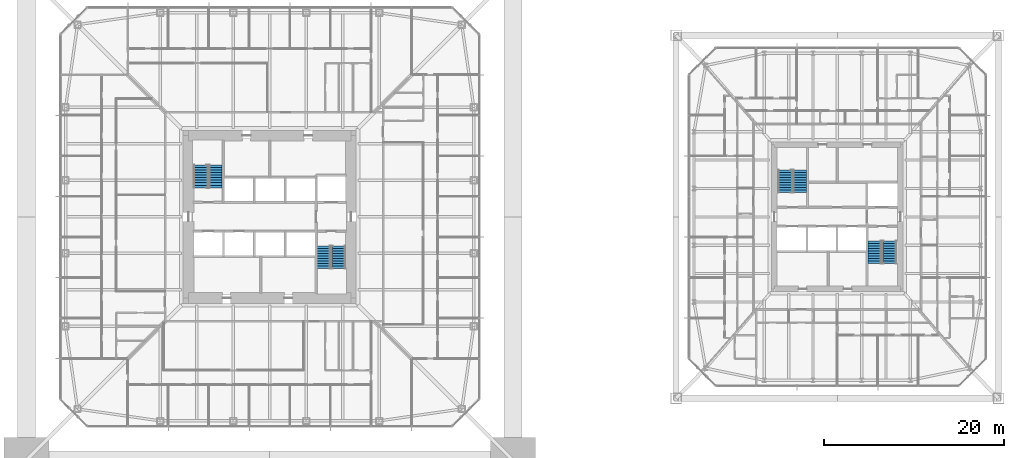
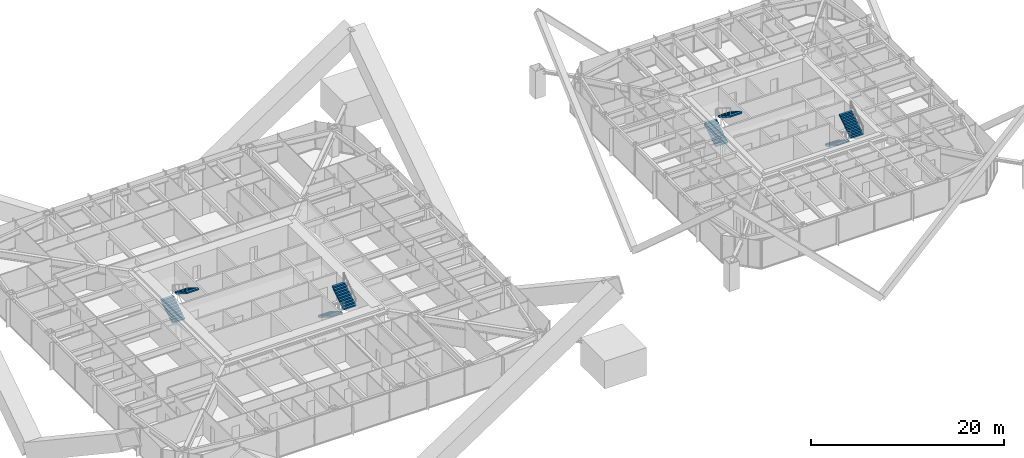
# One storey, part 23 of 27: 8 stair flights, 4 elements without a shape of their own.
"""IFC4 building model written with IfcOpenShell, lengths in metres."""

from ifc_helpers import new_model, si_unit, direction, frame, origin, place, context, subcontext, project, spatial, polyline, outline, extrude, material, constituent, constituent_set, type_object, element, aggregate, save


model = new_model("IFC4")

# Units and contexts
model_context = context("Model", 3, precision=1e-05, world=origin(), true_north=direction((0.0, 1.0)))
body_context = subcontext(model_context, "Body", "Model", "MODEL_VIEW")
ifc_project = project(units=[si_unit("LENGTHUNIT", "METRE"), si_unit("AREAUNIT", "SQUARE_METRE"), si_unit("VOLUMEUNIT", "CUBIC_METRE"), si_unit("PLANEANGLEUNIT", "RADIAN"), si_unit("MASSUNIT", "GRAM", prefix="KILO")], contexts=[model_context])

# Site, building, storey
site_placement = place(None, origin())
site = spatial("IfcSite", under=ifc_project, at=site_placement, CompositionType="ELEMENT")
building_placement = place(site_placement, origin())
building = spatial("IfcBuilding", under=site, at=building_placement, Name="Iwan Alto Co-Living Towers", CompositionType="ELEMENT")
storey_placement = place(building_placement, frame((0.0, 0.0, 25.5)))
storey = spatial("IfcBuildingStorey", under=building, at=storey_placement, Name="L06", CompositionType="ELEMENT", Elevation=25.5)

# Stair, stair flights
ifc_material_1 = material(Name="Steel ASTM A36", Category="steel")
ifc_constituent_1 = constituent(ifc_material_1, Name="Stringers", Category="LoadBearing")
ifc_material_2 = material(Name="Concrete f'c 30 MPa", Category="concrete")
ifc_constituent_2 = constituent(ifc_material_2, Name="Tread fill", Category="Finish")
ifc_constituent_set_1 = constituent_set(constituents=[ifc_constituent_1, ifc_constituent_2], Name="STAIR 3500 TWO-FLIGHT T1 CORE")
stair_type_1 = type_object("IfcStairType", Name="STAIR 3500 TWO-FLIGHT T1 CORE", PredefinedType="HALF_TURN_STAIR", material=ifc_constituent_set_1)
stair_1_placement = place(storey_placement, origin())
stair_1 = element("IfcStair", 1, at=stair_1_placement, inside=storey, type_object=stair_type_1, Name="Stair T1-S1 L06 to L07", PredefinedType="HALF_TURN_STAIR")
ifc_constituent_3 = constituent(ifc_material_1, Name="Stringers", Category="LoadBearing")
ifc_constituent_4 = constituent(ifc_material_2, Name="Tread fill", Category="Finish")
ifc_constituent_set_2 = constituent_set(constituents=[ifc_constituent_3, ifc_constituent_4], Name="STAIR FLIGHT 10 RISERS 280 GOING")
stair_flight_type = type_object("IfcStairFlightType", Name="STAIR FLIGHT 10 RISERS 280 GOING", PredefinedType="STRAIGHT", material=ifc_constituent_set_2)
stair_flight_1_placement = place(storey_placement, frame((-7.68994140625, 3.219970703125, 0.0), z_axis=(0.0, 0.0, 1.0), x_axis=(0.0, 1.0, 0.0)))
stair_flight_1 = element("IfcStairFlight", 2, at=stair_flight_1_placement, type_object=stair_flight_type, Name="T1-S1 flight 1", NumberOfRisers=10, NumberOfTreads=9, PredefinedType="STRAIGHT", RiserHeight=0.175, TreadLength=0.28, context=body_context, shape_type="SweptSolid", body=[
    extrude(outline(polyline([(0.0, 0.0), (0.0, 0.175048828125), (0.280029296875, 0.175048828125), (0.280029296875, 0.35009765625), (0.56005859375, 0.35009765625), (0.56005859375, 0.52490234375), (0.840087890625, 0.52490234375), (0.840087890625, 0.699951171875), (1.1201171875, 0.699951171875), (1.1201171875, 0.875), (1.39990234375, 0.875), (1.39990234375, 1.050048828125), (1.679931640625, 1.050048828125), (1.679931640625, 1.22509765625), (1.9599609375, 1.22509765625), (1.9599609375, 1.39990234375), (2.239990234375, 1.39990234375), (2.239990234375, 1.574951171875), (2.52001953125, 1.574951171875), (2.52001953125, 1.75), (2.52001953125, 1.398193359375), (0.28271484375, 0.0), (0.0, 0.0)])), frame((0.0, 0.739990234375, 0.0), z_axis=(0.0, -1.0, 0.0), x_axis=(1.0, 0.0, 0.0)), (0.0, 0.0, 1.0), 1.47998046875),
])
stair_flight_2_placement = place(storey_placement, frame((-6.010009765625, 5.739990234375, 1.75), z_axis=(0.0, 0.0, 1.0), x_axis=(0.0, -1.0, 0.0)))
stair_flight_2 = element("IfcStairFlight", 3, at=stair_flight_2_placement, type_object=stair_flight_type, Name="T1-S1 flight 2", NumberOfRisers=10, NumberOfTreads=9, PredefinedType="STRAIGHT", RiserHeight=0.175, TreadLength=0.28, context=body_context, shape_type="SweptSolid", body=[
    extrude(outline(polyline([(0.0, 0.0), (0.0, 0.175048828125), (0.280029296875, 0.175048828125), (0.280029296875, 0.35009765625), (0.56005859375, 0.35009765625), (0.56005859375, 0.52490234375), (0.840087890625, 0.52490234375), (0.840087890625, 0.699951171875), (1.1201171875, 0.699951171875), (1.1201171875, 0.875), (1.39990234375, 0.875), (1.39990234375, 1.050048828125), (1.679931640625, 1.050048828125), (1.679931640625, 1.22509765625), (1.9599609375, 1.22509765625), (1.9599609375, 1.39990234375), (2.239990234375, 1.39990234375), (2.239990234375, 1.574951171875), (2.52001953125, 1.574951171875), (2.52001953125, 1.75), (2.52001953125, 1.398193359375), (0.28271484375, 0.0), (0.0, 0.0)])), frame((0.0, 0.739990234375, 0.0), z_axis=(0.0, -1.0, 0.0), x_axis=(1.0, 0.0, 0.0)), (0.0, 0.0, 1.0), 1.47998046875),
])
aggregate(stair_1, [stair_flight_1, stair_flight_2])

stair_2_placement = place(storey_placement, origin())
stair_2 = element("IfcStair", 4, at=stair_2_placement, inside=storey, type_object=stair_type_1, Name="Stair T1-S2 L06 to L07", PredefinedType="HALF_TURN_STAIR")
stair_flight_3_placement = place(storey_placement, frame((6.010009765625, -3.219970703125, 0.0), z_axis=(0.0, 0.0, 1.0), x_axis=(0.0, -1.0, 0.0)))
stair_flight_3 = element("IfcStairFlight", 5, at=stair_flight_3_placement, type_object=stair_flight_type, Name="T1-S2 flight 1", NumberOfRisers=10, NumberOfTreads=9, PredefinedType="STRAIGHT", RiserHeight=0.175, TreadLength=0.28, context=body_context, shape_type="SweptSolid", body=[
    extrude(outline(polyline([(0.0, 0.0), (0.0, 0.175048828125), (0.280029296875, 0.175048828125), (0.280029296875, 0.35009765625), (0.56005859375, 0.35009765625), (0.56005859375, 0.52490234375), (0.840087890625, 0.52490234375), (0.840087890625, 0.699951171875), (1.1201171875, 0.699951171875), (1.1201171875, 0.875), (1.39990234375, 0.875), (1.39990234375, 1.050048828125), (1.679931640625, 1.050048828125), (1.679931640625, 1.22509765625), (1.9599609375, 1.22509765625), (1.9599609375, 1.39990234375), (2.239990234375, 1.39990234375), (2.239990234375, 1.574951171875), (2.52001953125, 1.574951171875), (2.52001953125, 1.75), (2.52001953125, 1.398193359375), (0.28271484375, 0.0), (0.0, 0.0)])), frame((0.0, 0.739990234375, 0.0), z_axis=(0.0, -1.0, 0.0), x_axis=(1.0, 0.0, 0.0)), (0.0, 0.0, 1.0), 1.47998046875),
])
stair_flight_4_placement = place(storey_placement, frame((7.68994140625, -5.739990234375, 1.75), z_axis=(0.0, 0.0, 1.0), x_axis=(0.0, 1.0, 0.0)))
stair_flight_4 = element("IfcStairFlight", 6, at=stair_flight_4_placement, type_object=stair_flight_type, Name="T1-S2 flight 2", NumberOfRisers=10, NumberOfTreads=9, PredefinedType="STRAIGHT", RiserHeight=0.175, TreadLength=0.28, context=body_context, shape_type="SweptSolid", body=[
    extrude(outline(polyline([(0.0, 0.0), (0.0, 0.175048828125), (0.280029296875, 0.175048828125), (0.280029296875, 0.35009765625), (0.56005859375, 0.35009765625), (0.56005859375, 0.52490234375), (0.840087890625, 0.52490234375), (0.840087890625, 0.699951171875), (1.1201171875, 0.699951171875), (1.1201171875, 0.875), (1.39990234375, 0.875), (1.39990234375, 1.050048828125), (1.679931640625, 1.050048828125), (1.679931640625, 1.22509765625), (1.9599609375, 1.22509765625), (1.9599609375, 1.39990234375), (2.239990234375, 1.39990234375), (2.239990234375, 1.574951171875), (2.52001953125, 1.574951171875), (2.52001953125, 1.75), (2.52001953125, 1.398193359375), (0.28271484375, 0.0), (0.0, 0.0)])), frame((0.0, 0.739990234375, 0.0), z_axis=(0.0, -1.0, 0.0), x_axis=(1.0, 0.0, 0.0)), (0.0, 0.0, 1.0), 1.47998046875),
])
aggregate(stair_2, [stair_flight_3, stair_flight_4])

ifc_constituent_5 = constituent(ifc_material_1, Name="Stringers", Category="LoadBearing")
ifc_constituent_6 = constituent(ifc_material_2, Name="Tread fill", Category="Finish")
ifc_constituent_set_3 = constituent_set(constituents=[ifc_constituent_5, ifc_constituent_6], Name="STAIR 3500 TWO-FLIGHT T2 CORE")
stair_type_2 = type_object("IfcStairType", Name="STAIR 3500 TWO-FLIGHT T2 CORE", PredefinedType="HALF_TURN_STAIR", material=ifc_constituent_set_3)
stair_3_placement = place(storey_placement, origin())
stair_3 = element("IfcStair", 7, at=stair_3_placement, inside=storey, type_object=stair_type_2, Name="Stair T2-S1 L06 to L07", PredefinedType="HALF_TURN_STAIR")
stair_flight_5_placement = place(storey_placement, frame((57.159912109375, 2.669921875, 0.0), z_axis=(0.0, 0.0, 1.0), x_axis=(0.0, 1.0, 0.0)))
stair_flight_5 = element("IfcStairFlight", 8, at=stair_flight_5_placement, type_object=stair_flight_type, Name="T2-S1 flight 1", NumberOfRisers=10, NumberOfTreads=9, PredefinedType="STRAIGHT", RiserHeight=0.175, TreadLength=0.28, context=body_context, shape_type="SweptSolid", body=[
    extrude(outline(polyline([(0.0, 0.0), (0.0, 0.175048828125), (0.280029296875, 0.175048828125), (0.280029296875, 0.35009765625), (0.56005859375, 0.35009765625), (0.56005859375, 0.52490234375), (0.840087890625, 0.52490234375), (0.840087890625, 0.699951171875), (1.1201171875, 0.699951171875), (1.1201171875, 0.875), (1.39990234375, 0.875), (1.39990234375, 1.050048828125), (1.679931640625, 1.050048828125), (1.679931640625, 1.22509765625), (1.9599609375, 1.22509765625), (1.9599609375, 1.39990234375), (2.239990234375, 1.39990234375), (2.239990234375, 1.574951171875), (2.52001953125, 1.574951171875), (2.52001953125, 1.75), (2.52001953125, 1.398193359375), (0.28271484375, 0.0), (0.0, 0.0)])), frame((0.0, 0.739990234375, 0.0), z_axis=(0.0, -1.0, 0.0), x_axis=(1.0, 0.0, 0.0)), (0.0, 0.0, 1.0), 1.47998046875),
])
stair_flight_6_placement = place(storey_placement, frame((58.840087890625, 5.18994140625, 1.75), z_axis=(0.0, 0.0, 1.0), x_axis=(0.0, -1.0, 0.0)))
stair_flight_6 = element("IfcStairFlight", 9, at=stair_flight_6_placement, type_object=stair_flight_type, Name="T2-S1 flight 2", NumberOfRisers=10, NumberOfTreads=9, PredefinedType="STRAIGHT", RiserHeight=0.175, TreadLength=0.28, context=body_context, shape_type="SweptSolid", body=[
    extrude(outline(polyline([(0.0, 0.0), (0.0, 0.175048828125), (0.280029296875, 0.175048828125), (0.280029296875, 0.35009765625), (0.56005859375, 0.35009765625), (0.56005859375, 0.52490234375), (0.840087890625, 0.52490234375), (0.840087890625, 0.699951171875), (1.1201171875, 0.699951171875), (1.1201171875, 0.875), (1.39990234375, 0.875), (1.39990234375, 1.050048828125), (1.679931640625, 1.050048828125), (1.679931640625, 1.22509765625), (1.9599609375, 1.22509765625), (1.9599609375, 1.39990234375), (2.239990234375, 1.39990234375), (2.239990234375, 1.574951171875), (2.52001953125, 1.574951171875), (2.52001953125, 1.75), (2.52001953125, 1.398193359375), (0.28271484375, 0.0), (0.0, 0.0)])), frame((0.0, 0.739990234375, 0.0), z_axis=(0.0, -1.0, 0.0), x_axis=(1.0, 0.0, 0.0)), (0.0, 0.0, 1.0), 1.47998046875),
])
aggregate(stair_3, [stair_flight_5, stair_flight_6])

stair_4_placement = place(storey_placement, origin())
stair_4 = element("IfcStair", 10, at=stair_4_placement, inside=storey, type_object=stair_type_2, Name="Stair T2-S2 L06 to L07", PredefinedType="HALF_TURN_STAIR")
stair_flight_7_placement = place(storey_placement, frame((67.159912109375, -2.669921875, 0.0), z_axis=(0.0, 0.0, 1.0), x_axis=(0.0, -1.0, 0.0)))
stair_flight_7 = element("IfcStairFlight", 11, at=stair_flight_7_placement, type_object=stair_flight_type, Name="T2-S2 flight 1", NumberOfRisers=10, NumberOfTreads=9, PredefinedType="STRAIGHT", RiserHeight=0.175, TreadLength=0.28, context=body_context, shape_type="SweptSolid", body=[
    extrude(outline(polyline([(0.0, 0.0), (0.0, 0.175048828125), (0.280029296875, 0.175048828125), (0.280029296875, 0.35009765625), (0.56005859375, 0.35009765625), (0.56005859375, 0.52490234375), (0.840087890625, 0.52490234375), (0.840087890625, 0.699951171875), (1.1201171875, 0.699951171875), (1.1201171875, 0.875), (1.39990234375, 0.875), (1.39990234375, 1.050048828125), (1.679931640625, 1.050048828125), (1.679931640625, 1.22509765625), (1.9599609375, 1.22509765625), (1.9599609375, 1.39990234375), (2.239990234375, 1.39990234375), (2.239990234375, 1.574951171875), (2.52001953125, 1.574951171875), (2.52001953125, 1.75), (2.52001953125, 1.398193359375), (0.28271484375, 0.0), (0.0, 0.0)])), frame((0.0, 0.739990234375, 0.0), z_axis=(0.0, -1.0, 0.0), x_axis=(1.0, 0.0, 0.0)), (0.0, 0.0, 1.0), 1.47998046875),
])
stair_flight_8_placement = place(storey_placement, frame((68.840087890625, -5.18994140625, 1.75), z_axis=(0.0, 0.0, 1.0), x_axis=(0.0, 1.0, 0.0)))
stair_flight_8 = element("IfcStairFlight", 12, at=stair_flight_8_placement, type_object=stair_flight_type, Name="T2-S2 flight 2", NumberOfRisers=10, NumberOfTreads=9, PredefinedType="STRAIGHT", RiserHeight=0.175, TreadLength=0.28, context=body_context, shape_type="SweptSolid", body=[
    extrude(outline(polyline([(0.0, 0.0), (0.0, 0.175048828125), (0.280029296875, 0.175048828125), (0.280029296875, 0.35009765625), (0.56005859375, 0.35009765625), (0.56005859375, 0.52490234375), (0.840087890625, 0.52490234375), (0.840087890625, 0.699951171875), (1.1201171875, 0.699951171875), (1.1201171875, 0.875), (1.39990234375, 0.875), (1.39990234375, 1.050048828125), (1.679931640625, 1.050048828125), (1.679931640625, 1.22509765625), (1.9599609375, 1.22509765625), (1.9599609375, 1.39990234375), (2.239990234375, 1.39990234375), (2.239990234375, 1.574951171875), (2.52001953125, 1.574951171875), (2.52001953125, 1.75), (2.52001953125, 1.398193359375), (0.28271484375, 0.0), (0.0, 0.0)])), frame((0.0, 0.739990234375, 0.0), z_axis=(0.0, -1.0, 0.0), x_axis=(1.0, 0.0, 0.0)), (0.0, 0.0, 1.0), 1.47998046875),
])
aggregate(stair_4, [stair_flight_7, stair_flight_8])

save(model, "model.ifc")
